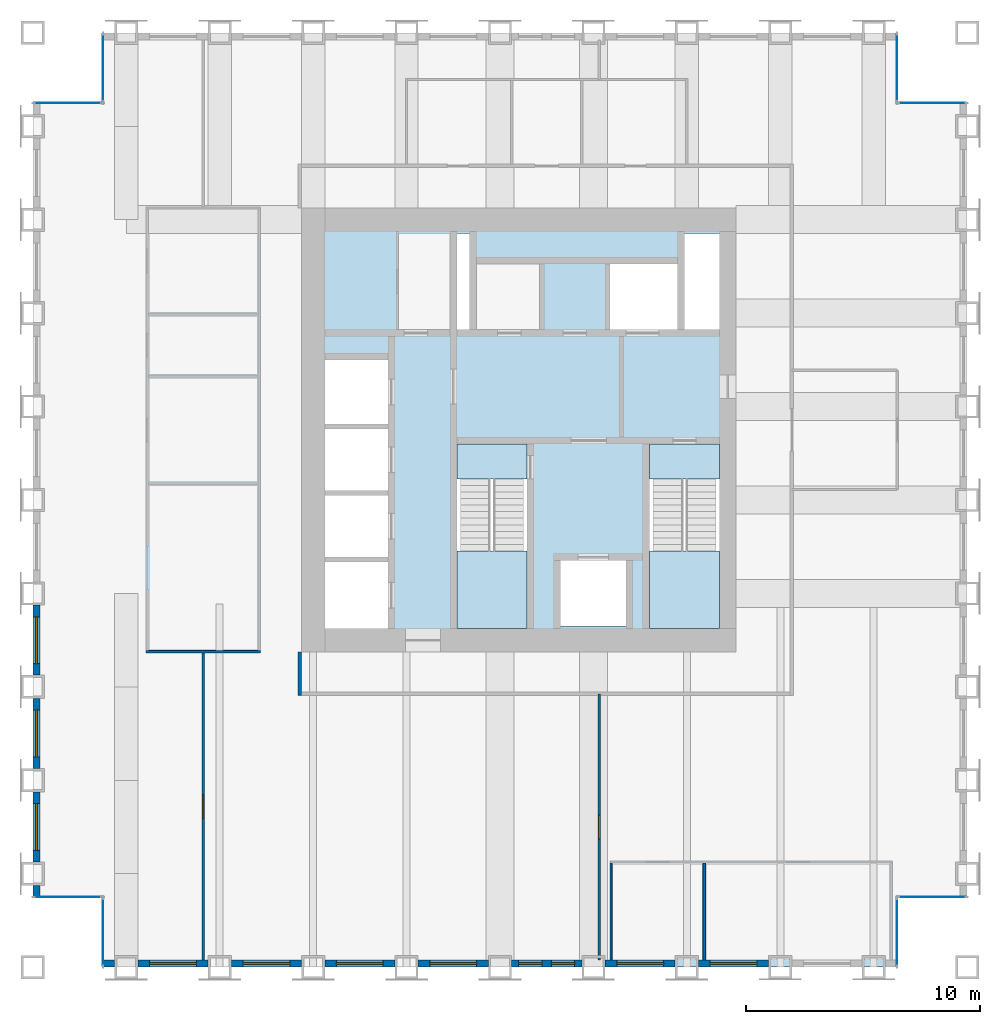
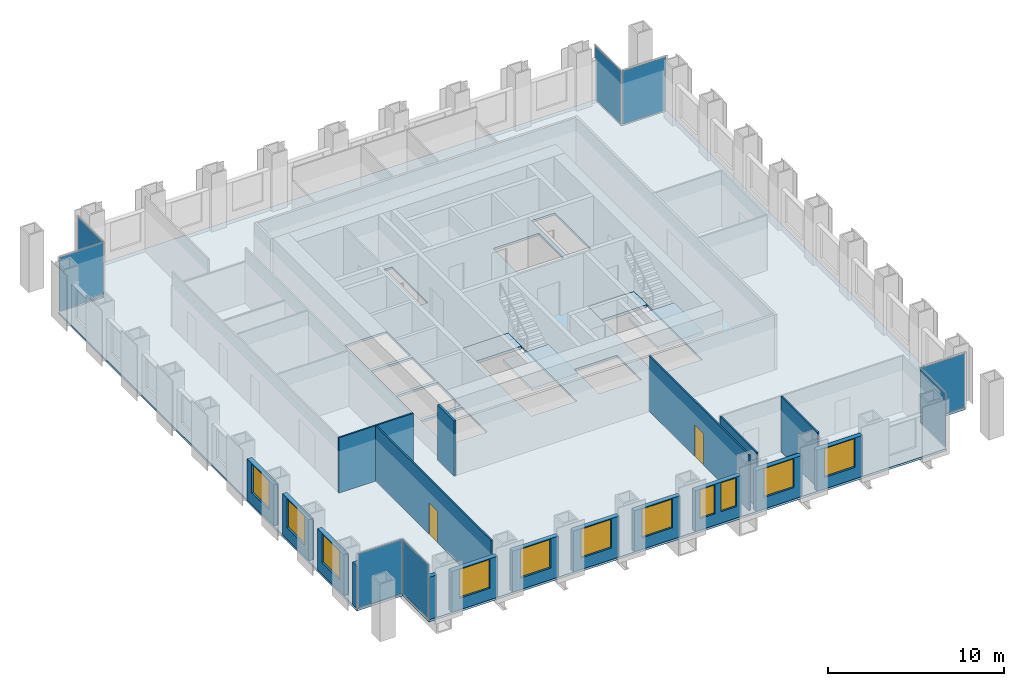
# One storey, part 6 of 10: 18 walls, 11 windows, 8 plates, 5 slabs, 2 doors, 13 openings, 10 elements without a shape of their own.
"""IFC4 building model written with IfcOpenShell, lengths in metres."""

import ifcopenshell
import ifcopenshell.guid

model = None  # the IFC model being written
_history = None  # IfcOwnerHistory: only IFC2X3 demands one
_inside = {}  # id of a spatial element -> (the spatial element, [elements in it])
_under = {}  # id of a project, library or spatial element -> (it, [spatial elements below it])
_declared = {}  # id of a project -> (the project, [libraries it declares])
_typed = {}  # id of a type object -> (the type object, [elements of that type])
_made_of = {}  # id of a material, layer set ... -> (it, [elements and type objects made of it])


def new_model(schema):
    """Start an empty IFC model of exactly this schema.

    Asked for "IFC4X3", IfcOpenShell would pick the latest addendum, in which some entities
    have other attributes; the version numbers below select the first issue.
    IFC2X3 requires an IfcOwnerHistory on every rooted entity: one is made here for all.
    """
    global model, _history
    if schema == "IFC4X3":
        model = ifcopenshell.file(schema_version=(4, 3, 0, 0))
    else:
        model = ifcopenshell.file(schema=schema)
    _inside.clear()
    _under.clear()
    _declared.clear()
    _typed.clear()
    _made_of.clear()
    _history = None
    if model.schema == "IFC2X3":
        org = make("IfcOrganization", Name="unknown")
        user = make(
            "IfcPersonAndOrganization",
            ThePerson=make("IfcPerson", FamilyName="unknown"),
            TheOrganization=org,
        )
        app = make(
            "IfcApplication",
            ApplicationDeveloper=org,
            Version="unknown",
            ApplicationFullName="unknown",
            ApplicationIdentifier="unknown",
        )
        _history = make(
            "IfcOwnerHistory",
            OwningUser=user,
            OwningApplication=app,
            ChangeAction="ADDED",
            CreationDate=0,
        )
    return model


def make(cls, **values):
    """One entity of the class cls with the attributes given. An attribute that is None is left unset."""
    return model.create_entity(
        cls, **{name: value for name, value in values.items() if value is not None}
    )


def rooted(cls, **values):
    """An entity with a GlobalId (a new one), such as an element, a storey or a relation."""
    return make(cls, GlobalId=ifcopenshell.guid.new(), OwnerHistory=_history, **values)


def si_unit(unit_type, name, prefix=None):
    """IfcSIUnit, for example si_unit("LENGTHUNIT", "METRE", prefix="MILLI")."""
    return make("IfcSIUnit", UnitType=unit_type, Prefix=prefix, Name=name)


def assignment(units):
    """IfcUnitAssignment: the units of a project."""
    return None if units is None else make("IfcUnitAssignment", Units=units)


def point(xyz):
    """IfcCartesianPoint."""
    return None if xyz is None else make("IfcCartesianPoint", Coordinates=xyz)


def direction(xyz):
    """IfcDirection."""
    return None if xyz is None else make("IfcDirection", DirectionRatios=xyz)


def frame(location, z_axis=None, x_axis=None):
    """IfcAxis2Placement3D, a coordinate frame: its origin and axes. An axis left out is left unset."""
    return make(
        "IfcAxis2Placement3D",
        Location=point(location),
        Axis=direction(z_axis),
        RefDirection=direction(x_axis),
    )


def frame_2d(location, x_axis=None):
    """IfcAxis2Placement2D, a coordinate frame in the plane: its origin and x axis."""
    return make(
        "IfcAxis2Placement2D", Location=point(location), RefDirection=direction(x_axis)
    )


def origin():
    """The frame at (0, 0, 0) with its axes left unset."""
    return frame((0.0, 0.0, 0.0))


def origin_2d():
    """The frame at (0, 0) in the plane with its x axis left unset."""
    return frame_2d((0.0, 0.0))


def place(relative_to, where):
    """IfcLocalPlacement: puts the frame where relative to a parent placement (None: the world)."""
    return make(
        "IfcLocalPlacement", PlacementRelTo=relative_to, RelativePlacement=where
    )


def context(
    kind, dimensions, precision=None, world=None, true_north=None, identifier=None
):
    """IfcGeometricRepresentationContext, for example the 3D "Model" context."""
    return make(
        "IfcGeometricRepresentationContext",
        ContextIdentifier=identifier,
        ContextType=kind,
        CoordinateSpaceDimension=dimensions,
        Precision=precision,
        WorldCoordinateSystem=world,
        TrueNorth=true_north,
    )


def subcontext(parent, identifier, kind, view, scale=None):
    """IfcGeometricRepresentationSubContext, for example "Body" below "Model"."""
    return make(
        "IfcGeometricRepresentationSubContext",
        ContextIdentifier=identifier,
        ContextType=kind,
        ParentContext=parent,
        TargetScale=scale,
        TargetView=view,
    )


def project(units=None, contexts=None):
    """IfcProject with its units and contexts."""
    return rooted(
        "IfcProject",
        Name="project",
        RepresentationContexts=contexts,
        UnitsInContext=assignment(units),
    )


def spatial(cls, under=None, at=None, **own):
    """A site, building, storey or space (cls), placed at a placement, below another one or the project."""
    s = rooted(cls, ObjectPlacement=at, **own)
    if under is not None:
        _under.setdefault(under.id(), (under, []))[1].append(s)
    return s


def polyline(points):
    """IfcPolyline through the points."""
    return make("IfcPolyline", Points=[point(p) for p in points])


def profile(cls, at=None, kind="AREA", **sizes):
    """A parametric profile (cls). Its sizes go by their IFC names, for example OverallWidth=200.0."""
    return make(cls, ProfileType=kind, Position=at, **sizes)


def rectangle(**sizes):
    """IfcRectangleProfileDef."""
    return profile("IfcRectangleProfileDef", **sizes)


def outline(outer, holes=None, kind="AREA"):
    """IfcArbitraryClosedProfileDef: a profile drawn as a closed curve; with holes, ...WithVoids."""
    if holes is None:
        return make("IfcArbitraryClosedProfileDef", ProfileType=kind, OuterCurve=outer)
    return make(
        "IfcArbitraryProfileDefWithVoids",
        ProfileType=kind,
        OuterCurve=outer,
        InnerCurves=holes,
    )


def extrude(swept, where, along, depth):
    """IfcExtrudedAreaSolid: the profile swept, set in the frame where, extruded along a direction by depth."""
    return make(
        "IfcExtrudedAreaSolid",
        SweptArea=swept,
        Position=where,
        ExtrudedDirection=direction(along),
        Depth=depth,
    )


def shape(context_of_items, identifier, shape_type, items):
    """IfcShapeRepresentation: the items that make up one representation, for example the "Body"."""
    return make(
        "IfcShapeRepresentation",
        ContextOfItems=context_of_items,
        RepresentationIdentifier=identifier,
        RepresentationType=shape_type,
        Items=items,
    )


def material(Name=None, Category=None):
    """IfcMaterial."""
    return make("IfcMaterial", Name=Name, Category=Category)


def layer(
    of_material, thickness, ventilated=None, Name=None, Category=None, Priority=None
):
    """IfcMaterialLayer: one layer of a wall or slab, of a material (None: an air gap)."""
    return make(
        "IfcMaterialLayer",
        Material=of_material,
        LayerThickness=thickness,
        IsVentilated=ventilated,
        Name=Name,
        Category=Category,
        Priority=Priority,
    )


def layer_set(layers, Name=None):
    """IfcMaterialLayerSet."""
    return make("IfcMaterialLayerSet", MaterialLayers=layers, LayerSetName=Name)


def made_of(thing, what):
    """Note that an element or type object is made of a material, layer set ...; save() writes the relation."""
    if what is not None:
        _made_of.setdefault(what.id(), (what, []))[1].append(thing)
    return thing


def type_object(cls, material=None, **own):
    """A type object (cls), such as IfcWallType, which elements share."""
    return made_of(rooted(cls, **own), material)


def element(
    cls,
    number,
    at=None,
    inside=None,
    cuts=None,
    type_object=None,
    material=None,
    context=None,
    identifier="Body",
    shape_type=None,
    held_by="IfcProductDefinitionShape",
    body=None,
    shapes=None,
    **own,
):
    """One element of the class cls, such as IfcWall. Its Tag is "e" and its number.

    at: its placement. inside: the storey or other place that contains it. cuts: it is an
    opening in that element (IfcRelVoidsElement). A single representation is given by context,
    identifier, shape_type and body (its items); several are given by shapes. held_by: the class
    of the entity that holds the representations. save() writes the other relations.
    """
    e = rooted(cls, Tag="e%d" % number, ObjectPlacement=at, **own)
    if body is not None:
        shapes = [shape(context, identifier, shape_type, body)]
    if shapes is not None:
        e.Representation = make(held_by, Representations=shapes)
    if inside is not None:
        _inside.setdefault(inside.id(), (inside, []))[1].append(e)
    if cuts is not None:
        rooted(
            "IfcRelVoidsElement", RelatingBuildingElement=cuts, RelatedOpeningElement=e
        )
    if type_object is not None:
        _typed.setdefault(type_object.id(), (type_object, []))[1].append(e)
    return made_of(e, material)


def fill(opening, filler):
    """IfcRelFillsElement: the door or window that sits in an opening."""
    return rooted(
        "IfcRelFillsElement",
        RelatingOpeningElement=opening,
        RelatedBuildingElement=filler,
    )


def aggregate(whole, parts):
    """IfcRelAggregates: a whole, such as a stair, and the parts it consists of."""
    return rooted("IfcRelAggregates", RelatingObject=whole, RelatedObjects=parts)


def save(model, path):
    """Write the relations noted so far, then the file.

    IfcRelAggregates (storeys below a building ...), IfcRelContainedInSpatialStructure (elements
    in a storey), IfcRelDefinesByType, IfcRelAssociatesMaterial and IfcRelDeclares: one each for
    every whole, place, type object, material and project.
    """
    for whole, parts in _under.values():
        aggregate(whole, parts)
    for where, things in _inside.values():
        rooted(
            "IfcRelContainedInSpatialStructure",
            RelatedElements=things,
            RelatingStructure=where,
        )
    for kind, things in _typed.values():
        rooted("IfcRelDefinesByType", RelatedObjects=things, RelatingType=kind)
    for what, things in _made_of.values():
        rooted("IfcRelAssociatesMaterial", RelatedObjects=things, RelatingMaterial=what)
    for by, libraries in _declared.values():
        rooted("IfcRelDeclares", RelatingContext=by, RelatedDefinitions=libraries)
    model.write(path)


model = new_model("IFC4")

# Units and contexts
model_context = context("Model", 3, precision=1e-05, world=origin(), true_north=direction((0.0, 1.0)))
body_context = subcontext(model_context, "Body", "Model", "MODEL_VIEW")
ifc_project = project(units=[si_unit("LENGTHUNIT", "METRE"), si_unit("AREAUNIT", "SQUARE_METRE"), si_unit("VOLUMEUNIT", "CUBIC_METRE"), si_unit("PLANEANGLEUNIT", "RADIAN"), si_unit("MASSUNIT", "GRAM", prefix="KILO")], contexts=[model_context])

# Site, building, storey
site_placement = place(None, origin())
site = spatial("IfcSite", under=ifc_project, at=site_placement, CompositionType="ELEMENT")
building_placement = place(site_placement, origin())
building = spatial("IfcBuilding", under=site, at=building_placement, Name="Rimbunsela Tower", CompositionType="ELEMENT")
storey_placement = place(building_placement, frame((0.0, 0.0, 274.199951171875)))
storey = spatial("IfcBuildingStorey", under=building, at=storey_placement, Name="L66", CompositionType="ELEMENT", Elevation=274.199951171875)

# Slab
ifc_material_1 = material(Name="Concrete fc' 35 MPa", Category="concrete")
ifc_layer_1 = layer(ifc_material_1, 0.14990234375)
ifc_layer_set_1 = layer_set([ifc_layer_1], Name="Floor slab 150")
slab_type_1 = type_object("IfcSlabType", Name="Floor slab 150", PredefinedType="FLOOR", material=ifc_layer_set_1)
slab_1_placement = place(storey_placement, frame((0.0, 0.0, -0.14990234375)))
element("IfcSlab", 1, at=slab_1_placement, inside=storey, type_object=slab_type_1, Name="Floor slab L66", PredefinedType="FLOOR", context=body_context, shape_type="SweptSolid", body=[
    extrude(outline(polyline([(9.0, 4.0), (43.0, 4.0), (43.0, 7.0), (46.0, 7.0), (46.0, 41.0), (43.0, 41.0), (43.0, 44.0), (9.0, 44.0), (9.0, 41.0), (6.0, 41.0), (6.0, 7.0), (9.0, 7.0), (9.0, 4.0)]), holes=[polyline([(21.199951171875, 21.35009765625), (18.5, 21.35009765625), (18.5, 18.5), (21.199951171875, 18.5), (21.199951171875, 21.35009765625)]), polyline([(21.199951171875, 21.550048828125), (21.199951171875, 24.199951171875), (18.5, 24.199951171875), (18.5, 21.550048828125), (21.199951171875, 21.550048828125)]), polyline([(21.199951171875, 27.050048828125), (18.5, 27.050048828125), (18.5, 24.39990234375), (21.199951171875, 24.39990234375), (21.199951171875, 27.050048828125)]), polyline([(21.199951171875, 30.0), (18.5, 30.0), (18.5, 27.25), (21.199951171875, 27.25), (21.199951171875, 30.0)]), polyline([(27.14990234375, 26.39990234375), (24.14990234375, 26.39990234375), (24.14990234375, 18.60009765625), (27.14990234375, 18.60009765625), (27.14990234375, 26.39990234375)]), polyline([(24.699951171875, 31.300048828125), (24.699951171875, 35.39990234375), (24.14990234375, 35.39990234375), (24.14990234375, 31.300048828125), (24.699951171875, 31.300048828125)]), polyline([(31.39990234375, 21.39990234375), (28.60009765625, 21.39990234375), (28.60009765625, 18.60009765625), (31.39990234375, 18.60009765625), (31.39990234375, 21.39990234375)]), polyline([(33.60009765625, 34.10009765625), (30.60009765625, 34.10009765625), (30.60009765625, 31.300048828125), (33.60009765625, 31.300048828125), (33.60009765625, 34.10009765625)]), polyline([(35.39990234375, 18.60009765625), (35.39990234375, 26.39990234375), (32.39990234375, 26.39990234375), (32.39990234375, 18.60009765625), (35.39990234375, 18.60009765625)]), polyline([(35.39990234375, 31.300048828125), (35.39990234375, 35.39990234375), (33.89990234375, 35.39990234375), (33.89990234375, 31.300048828125), (35.39990234375, 31.300048828125)])]), origin(), (0.0, 0.0, 1.0), 0.14990234375),
])

# Curtain wall, plate
ifc_material_2 = material(Name="Aluminium curtain wall", Category="aluminium")
curtain_wall_type = type_object("IfcCurtainWallType", Name="Corner glazing", PredefinedType="USERDEFINED", material=ifc_material_2)
curtain_wall_1_placement = place(storey_placement, origin())
curtain_wall_1 = element("IfcCurtainWall", 2, at=curtain_wall_1_placement, inside=storey, type_object=curtain_wall_type, Name="Corner glazing L66", ObjectType="CORNER GLAZING", PredefinedType="USERDEFINED")
ifc_material_3 = material(Name="Clear double glazing", Category="glass")
ifc_layer_2 = layer(ifc_material_3, 0.028076171875)
ifc_layer_set_2 = layer_set([ifc_layer_2], Name="Glazed panel clear")
plate_type = type_object("IfcPlateType", Name="Glazed panel clear", PredefinedType="CURTAIN_PANEL", material=ifc_layer_set_2)
plate_1_placement = place(storey_placement, frame((43.0, 5.5, 0.06005859375), z_axis=(0.0, 0.0, 1.0), x_axis=(0.0, 1.0, 0.0)))
plate_1 = element("IfcPlate", 3, at=plate_1_placement, type_object=plate_type, Name="CW5 panel 1.1", PredefinedType="CURTAIN_PANEL", context=body_context, shape_type="SweptSolid", body=[
    extrude(rectangle(XDim=2.8798828125, YDim=0.028076171875, at=origin_2d()), origin(), (0.0, 0.0, 1.0), 3.72998046875),
])
aggregate(curtain_wall_1, [plate_1])

curtain_wall_2_placement = place(storey_placement, origin())
curtain_wall_2 = element("IfcCurtainWall", 4, at=curtain_wall_2_placement, inside=storey, type_object=curtain_wall_type, Name="Corner glazing L66", ObjectType="CORNER GLAZING", PredefinedType="USERDEFINED")
plate_2_placement = place(storey_placement, frame((44.5, 7.0, 0.06005859375), z_axis=(0.0, 0.0, 1.0), x_axis=(1.0, 0.0, 0.0)))
plate_2 = element("IfcPlate", 5, at=plate_2_placement, type_object=plate_type, Name="CW5 panel 1.1", PredefinedType="CURTAIN_PANEL", context=body_context, shape_type="SweptSolid", body=[
    extrude(rectangle(XDim=2.8798828125, YDim=0.028076171875, at=origin_2d()), origin(), (0.0, 0.0, 1.0), 3.72998046875),
])
aggregate(curtain_wall_2, [plate_2])

curtain_wall_3_placement = place(storey_placement, origin())
curtain_wall_3 = element("IfcCurtainWall", 6, at=curtain_wall_3_placement, inside=storey, type_object=curtain_wall_type, Name="Corner glazing L66", ObjectType="CORNER GLAZING", PredefinedType="USERDEFINED")
plate_3_placement = place(storey_placement, frame((44.5, 41.0, 0.06005859375), z_axis=(0.0, 0.0, 1.0), x_axis=(-1.0, 0.0, 0.0)))
plate_3 = element("IfcPlate", 7, at=plate_3_placement, type_object=plate_type, Name="CW5 panel 1.1", PredefinedType="CURTAIN_PANEL", context=body_context, shape_type="SweptSolid", body=[
    extrude(rectangle(XDim=2.8798828125, YDim=0.028076171875, at=origin_2d()), origin(), (0.0, 0.0, 1.0), 3.72998046875),
])
aggregate(curtain_wall_3, [plate_3])

curtain_wall_4_placement = place(storey_placement, origin())
curtain_wall_4 = element("IfcCurtainWall", 8, at=curtain_wall_4_placement, inside=storey, type_object=curtain_wall_type, Name="Corner glazing L66", ObjectType="CORNER GLAZING", PredefinedType="USERDEFINED")
plate_4_placement = place(storey_placement, frame((43.0, 42.5, 0.06005859375), z_axis=(0.0, 0.0, 1.0), x_axis=(0.0, 1.0, 0.0)))
plate_4 = element("IfcPlate", 9, at=plate_4_placement, type_object=plate_type, Name="CW5 panel 1.1", PredefinedType="CURTAIN_PANEL", context=body_context, shape_type="SweptSolid", body=[
    extrude(rectangle(XDim=2.8798828125, YDim=0.028076171875, at=origin_2d()), origin(), (0.0, 0.0, 1.0), 3.72998046875),
])
aggregate(curtain_wall_4, [plate_4])

curtain_wall_5_placement = place(storey_placement, origin())
curtain_wall_5 = element("IfcCurtainWall", 10, at=curtain_wall_5_placement, inside=storey, type_object=curtain_wall_type, Name="Corner glazing L66", ObjectType="CORNER GLAZING", PredefinedType="USERDEFINED")
plate_5_placement = place(storey_placement, frame((9.0, 42.5, 0.06005859375), z_axis=(0.0, 0.0, 1.0), x_axis=(0.0, -1.0, 0.0)))
plate_5 = element("IfcPlate", 11, at=plate_5_placement, type_object=plate_type, Name="CW5 panel 1.1", PredefinedType="CURTAIN_PANEL", context=body_context, shape_type="SweptSolid", body=[
    extrude(rectangle(XDim=2.8798828125, YDim=0.028076171875, at=origin_2d()), origin(), (0.0, 0.0, 1.0), 3.72998046875),
])
aggregate(curtain_wall_5, [plate_5])

curtain_wall_6_placement = place(storey_placement, origin())
curtain_wall_6 = element("IfcCurtainWall", 12, at=curtain_wall_6_placement, inside=storey, type_object=curtain_wall_type, Name="Corner glazing L66", ObjectType="CORNER GLAZING", PredefinedType="USERDEFINED")
plate_6_placement = place(storey_placement, frame((7.5, 41.0, 0.06005859375), z_axis=(0.0, 0.0, 1.0), x_axis=(-1.0, 0.0, 0.0)))
plate_6 = element("IfcPlate", 13, at=plate_6_placement, type_object=plate_type, Name="CW5 panel 1.1", PredefinedType="CURTAIN_PANEL", context=body_context, shape_type="SweptSolid", body=[
    extrude(rectangle(XDim=2.8798828125, YDim=0.028076171875, at=origin_2d()), origin(), (0.0, 0.0, 1.0), 3.72998046875),
])
aggregate(curtain_wall_6, [plate_6])

curtain_wall_7_placement = place(storey_placement, origin())
curtain_wall_7 = element("IfcCurtainWall", 14, at=curtain_wall_7_placement, inside=storey, type_object=curtain_wall_type, Name="Corner glazing L66", ObjectType="CORNER GLAZING", PredefinedType="USERDEFINED")
plate_7_placement = place(storey_placement, frame((7.5, 7.0, 0.06005859375), z_axis=(0.0, 0.0, 1.0), x_axis=(1.0, 0.0, 0.0)))
plate_7 = element("IfcPlate", 15, at=plate_7_placement, type_object=plate_type, Name="CW5 panel 1.1", PredefinedType="CURTAIN_PANEL", context=body_context, shape_type="SweptSolid", body=[
    extrude(rectangle(XDim=2.8798828125, YDim=0.028076171875, at=origin_2d()), origin(), (0.0, 0.0, 1.0), 3.72998046875),
])
aggregate(curtain_wall_7, [plate_7])

curtain_wall_8_placement = place(storey_placement, origin())
curtain_wall_8 = element("IfcCurtainWall", 16, at=curtain_wall_8_placement, inside=storey, type_object=curtain_wall_type, Name="Corner glazing L66", ObjectType="CORNER GLAZING", PredefinedType="USERDEFINED")
plate_8_placement = place(storey_placement, frame((9.0, 5.5, 0.06005859375), z_axis=(0.0, 0.0, 1.0), x_axis=(0.0, -1.0, 0.0)))
plate_8 = element("IfcPlate", 17, at=plate_8_placement, type_object=plate_type, Name="CW5 panel 1.1", PredefinedType="CURTAIN_PANEL", context=body_context, shape_type="SweptSolid", body=[
    extrude(rectangle(XDim=2.8798828125, YDim=0.028076171875, at=origin_2d()), origin(), (0.0, 0.0, 1.0), 3.72998046875),
])
aggregate(curtain_wall_8, [plate_8])

# Stair, slabs
ifc_material_4 = material(Name="Concrete fc' 35 MPa", Category="concrete")
stair_type = type_object("IfcStairType", Name="Exit stair 24 risers", PredefinedType="HALF_TURN_STAIR", material=ifc_material_4)
stair_1_placement = place(storey_placement, origin())
stair_1 = element("IfcStair", 18, at=stair_1_placement, inside=storey, type_object=stair_type, Name="Exit stair A L66", PredefinedType="HALF_TURN_STAIR")
ifc_material_5 = material(Name="Concrete fc' 35 MPa", Category="concrete")
ifc_layer_3 = layer(ifc_material_5, 0.199951171875)
ifc_layer_set_3 = layer_set([ifc_layer_3], Name="Stair landing 200")
slab_type_2 = type_object("IfcSlabType", Name="Stair landing 200", PredefinedType="LANDING", material=ifc_layer_set_3)
slab_2_placement = place(storey_placement, frame((0.0, 0.0, -0.199951171875)))
slab_2 = element("IfcSlab", 19, at=slab_2_placement, type_object=slab_type_2, Name="ST-A landing 1", PredefinedType="LANDING", context=body_context, shape_type="SweptSolid", body=[
    extrude(outline(polyline([(24.14990234375, 24.89990234375), (27.14990234375, 24.89990234375), (27.14990234375, 26.39990234375), (24.14990234375, 26.39990234375), (24.14990234375, 24.89990234375)])), origin(), (0.0, 0.0, 1.0), 0.199951171875),
])
slab_3_placement = place(storey_placement, frame((0.0, 0.0, 1.800048828125)))
slab_3 = element("IfcSlab", 20, at=slab_3_placement, type_object=slab_type_2, Name="ST-A landing 2", PredefinedType="LANDING", context=body_context, shape_type="SweptSolid", body=[
    extrude(outline(polyline([(24.14990234375, 18.5), (27.14990234375, 18.5), (27.14990234375, 21.820068359375), (24.14990234375, 21.820068359375), (24.14990234375, 18.5)])), origin(), (0.0, 0.0, 1.0), 0.199951171875),
])
aggregate(stair_1, [slab_2, slab_3])

stair_2_placement = place(storey_placement, origin())
stair_2 = element("IfcStair", 21, at=stair_2_placement, inside=storey, type_object=stair_type, Name="Exit stair B L66", PredefinedType="HALF_TURN_STAIR")
slab_4_placement = place(storey_placement, frame((0.0, 0.0, -0.199951171875)))
slab_4 = element("IfcSlab", 22, at=slab_4_placement, type_object=slab_type_2, Name="ST-B landing 1", PredefinedType="LANDING", context=body_context, shape_type="SweptSolid", body=[
    extrude(outline(polyline([(32.39990234375, 24.89990234375), (35.39990234375, 24.89990234375), (35.39990234375, 26.39990234375), (32.39990234375, 26.39990234375), (32.39990234375, 24.89990234375)])), origin(), (0.0, 0.0, 1.0), 0.199951171875),
])
slab_5_placement = place(storey_placement, frame((0.0, 0.0, 1.800048828125)))
slab_5 = element("IfcSlab", 23, at=slab_5_placement, type_object=slab_type_2, Name="ST-B landing 2", PredefinedType="LANDING", context=body_context, shape_type="SweptSolid", body=[
    extrude(outline(polyline([(32.39990234375, 18.5), (35.39990234375, 18.5), (35.39990234375, 21.820068359375), (32.39990234375, 21.820068359375), (32.39990234375, 18.5)])), origin(), (0.0, 0.0, 1.0), 0.199951171875),
])
aggregate(stair_2, [slab_4, slab_5])

# Walls
ifc_material_6 = material(Name="Gypsum board on steel studs", Category="steel")
ifc_layer_4 = layer(ifc_material_6, 0.10009765625)
ifc_layer_set_4 = layer_set([ifc_layer_4], Name="Office partition 100")
wall_type_1 = type_object("IfcWallType", Name="Office partition 100", PredefinedType="PARTITIONING", material=ifc_layer_set_4)
wall_1_placement = place(storey_placement, frame((10.85009765625, 17.5, 0.0), z_axis=(0.0, 0.0, 1.0), x_axis=(1.0, 0.0, 0.0)))
element("IfcWall", 24, at=wall_1_placement, inside=storey, type_object=wall_type_1, Name="Office partition", PredefinedType="PARTITIONING", context=body_context, shape_type="SweptSolid", body=[
    extrude(rectangle(XDim=4.89990234375, YDim=0.10009765625, at=frame_2d((2.449951171875, 0.0))), origin(), (0.0, 0.0, 1.0), 3.85009765625),
])
for number, where, z_axis, x_axis, name in (
    (25, (30.75, 4.300048828125, 0.0), (0.0, 0.0, 1.0), (0.0, 1.0, 0.0), "Office partition"),
    (26, (34.75, 4.300048828125, 0.0), (0.0, 0.0, 1.0), (0.0, 1.0, 0.0), "Office partition"),
):
    element("IfcWall", number, at=place(storey_placement, frame(where, z_axis=z_axis, x_axis=x_axis)), inside=storey, type_object=wall_type_1, Name=name, PredefinedType="PARTITIONING", context=body_context, shape_type="SweptSolid", body=[
        extrude(rectangle(XDim=4.14990234375, YDim=0.10009765625, at=frame_2d((2.074951171875, 0.0))), origin(), (0.0, 0.0, 1.0), 3.85009765625),
    ])

# Wall, opening, door
wall_2_placement = place(storey_placement, frame((30.25, 15.699951171875, 0.0), z_axis=(0.0, 0.0, 1.0), x_axis=(0.0, -1.0, 0.0)))
wall_2 = element("IfcWall", 27, at=wall_2_placement, inside=storey, type_object=wall_type_1, Name="Office partition", PredefinedType="PARTITIONING", context=body_context, shape_type="SweptSolid", body=[
    extrude(rectangle(XDim=11.39990234375, YDim=0.10009765625, at=frame_2d((5.699951171875, 0.0))), origin(), (0.0, 0.0, 1.0), 3.85009765625),
])
opening_1_placement = place(wall_2_placement, frame((5.199951171875, 0.0, 0.0)))
opening_1 = element("IfcOpeningElement", 28, at=opening_1_placement, cuts=wall_2, Name="Opening D17", PredefinedType="OPENING", context=body_context, shape_type="SweptSolid", body=[
    extrude(rectangle(XDim=1.0, YDim=2.199951171875, at=frame_2d((0.5, 1.10009765625))), frame((0.0, 0.06005859375, 0.0), z_axis=(0.0, -1.0, 0.0), x_axis=(1.0, 0.0, 0.0)), (0.0, 0.0, 1.0), 0.1201171875),
])
ifc_material_7 = material(Name="Glazed aluminium door", Category="aluminium")
door_type = type_object("IfcDoorType", Name="Meeting room door 1000 glazed", OperationType="SINGLE_SWING_RIGHT", PredefinedType="DOOR", material=ifc_material_7)
door_1_placement = place(opening_1_placement, origin())
door_1 = element("IfcDoor", 29, at=door_1_placement, inside=storey, type_object=door_type, Name="Open office screen door", OperationType="SINGLE_SWING_RIGHT", OverallHeight=2.199951171875, OverallWidth=1.0, PredefinedType="DOOR", context=body_context, shape_type="SweptSolid", body=[
    extrude(rectangle(XDim=1.0, YDim=2.199951171875, at=frame_2d((0.5, 1.10009765625))), frame((0.0, 0.02490234375, 0.0), z_axis=(0.0, -1.0, 0.0), x_axis=(1.0, 0.0, 0.0)), (0.0, 0.0, 1.0), 0.050048828125),
])
fill(opening_1, door_1)

wall_3_placement = place(storey_placement, frame((13.300048828125, 4.300048828125, 0.0), z_axis=(0.0, 0.0, 1.0), x_axis=(0.0, 1.0, 0.0)))
wall_3 = element("IfcWall", 30, at=wall_3_placement, inside=storey, type_object=wall_type_1, Name="Office partition", PredefinedType="PARTITIONING", context=body_context, shape_type="SweptSolid", body=[
    extrude(rectangle(XDim=13.14990234375, YDim=0.10009765625, at=frame_2d((6.574951171875, 0.0))), origin(), (0.0, 0.0, 1.0), 3.85009765625),
])
opening_2_placement = place(wall_3_placement, frame((6.074951171875, 0.0, 0.0)))
opening_2 = element("IfcOpeningElement", 31, at=opening_2_placement, cuts=wall_3, Name="Opening D17", PredefinedType="OPENING", context=body_context, shape_type="SweptSolid", body=[
    extrude(rectangle(XDim=1.0, YDim=2.199951171875, at=frame_2d((0.5, 1.10009765625))), frame((0.0, 0.06005859375, 0.0), z_axis=(0.0, -1.0, 0.0), x_axis=(1.0, 0.0, 0.0)), (0.0, 0.0, 1.0), 0.1201171875),
])
door_2_placement = place(opening_2_placement, origin())
door_2 = element("IfcDoor", 32, at=door_2_placement, inside=storey, type_object=door_type, Name="Open office screen door", OperationType="SINGLE_SWING_RIGHT", OverallHeight=2.199951171875, OverallWidth=1.0, PredefinedType="DOOR", context=body_context, shape_type="SweptSolid", body=[
    extrude(rectangle(XDim=1.0, YDim=2.199951171875, at=frame_2d((0.5, 1.10009765625))), frame((0.0, 0.02490234375, 0.0), z_axis=(0.0, -1.0, 0.0), x_axis=(1.0, 0.0, 0.0)), (0.0, 0.0, 1.0), 0.050048828125),
])
fill(opening_2, door_2)

# Wall
ifc_material_8 = material(Name="Precast concrete fc' 35 MPa", Category="concrete")
ifc_layer_5 = layer(ifc_material_8, 0.300048828125)
ifc_layer_set_5 = layer_set([ifc_layer_5], Name="Precast concrete fc' 35 MPa")
wall_type_2 = type_object("IfcWallType", Name="Precast facade panel 300", PredefinedType="ELEMENTEDWALL", material=ifc_layer_set_5)
wall_4_placement = place(storey_placement, frame((9.030029296875, 4.14990234375, 0.0), z_axis=(0.0, 0.0, 1.0), x_axis=(1.0, 0.0, 0.0)))
element("IfcWall", 33, at=wall_4_placement, inside=storey, type_object=wall_type_2, Name="Facade panel S L66", PredefinedType="ELEMENTEDWALL", context=body_context, shape_type="SweptSolid", body=[
    extrude(rectangle(XDim=0.469970703125, YDim=0.300048828125, at=frame_2d((0.23486328125, 0.0))), origin(), (0.0, 0.0, 1.0), 2.949951171875),
])

# Wall, opening, window
wall_5_placement = place(storey_placement, frame((10.5, 4.14990234375, 0.0), z_axis=(0.0, 0.0, 1.0), x_axis=(1.0, 0.0, 0.0)))
wall_5 = element("IfcWall", 34, at=wall_5_placement, inside=storey, type_object=wall_type_2, Name="Facade panel S L66", PredefinedType="ELEMENTEDWALL", context=body_context, shape_type="SweptSolid", body=[
    extrude(rectangle(XDim=3.0, YDim=0.300048828125, at=frame_2d((1.5, 0.0))), origin(), (0.0, 0.0, 1.0), 2.85009765625),
])
opening_3_placement = place(wall_5_placement, frame((0.5, 0.0, 0.800048828125)))
opening_3 = element("IfcOpeningElement", 35, at=opening_3_placement, cuts=wall_5, Name="Opening W1", PredefinedType="OPENING", context=body_context, shape_type="SweptSolid", body=[
    extrude(rectangle(XDim=2.0, YDim=2.0, at=frame_2d((1.0, 1.0))), frame((0.0, 0.159912109375, 0.0), z_axis=(0.0, -1.0, 0.0), x_axis=(1.0, 0.0, 0.0)), (0.0, 0.0, 1.0), 0.320068359375),
])
ifc_material_9 = material(Name="Clear glass in aluminium frame", Category="aluminium")
window_type_1 = type_object("IfcWindowType", Name="Window W1 2000x2000", PartitioningType="DOUBLE_PANEL_VERTICAL", PredefinedType="WINDOW", material=ifc_material_9)
window_1_placement = place(opening_3_placement, origin())
window_1 = element("IfcWindow", 36, at=window_1_placement, inside=storey, type_object=window_type_1, Name="Window L66", OverallHeight=2.0, OverallWidth=2.0, PartitioningType="SINGLE_PANEL", PredefinedType="WINDOW", context=body_context, shape_type="SweptSolid", body=[
    extrude(rectangle(XDim=2.0, YDim=2.0, at=frame_2d((1.0, 1.0))), frame((0.0, 0.030029296875, 0.0), z_axis=(0.0, -1.0, 0.0), x_axis=(1.0, 0.0, 0.0)), (0.0, 0.0, 1.0), 0.06005859375),
])
fill(opening_3, window_1)

wall_6_placement = place(storey_placement, frame((14.5, 4.14990234375, 0.0), z_axis=(0.0, 0.0, 1.0), x_axis=(1.0, 0.0, 0.0)))
wall_6 = element("IfcWall", 37, at=wall_6_placement, inside=storey, type_object=wall_type_2, Name="Facade panel S L66", PredefinedType="ELEMENTEDWALL", context=body_context, shape_type="SweptSolid", body=[
    extrude(rectangle(XDim=3.0, YDim=0.300048828125, at=frame_2d((1.5, 0.0))), origin(), (0.0, 0.0, 1.0), 2.85009765625),
])
opening_4_placement = place(wall_6_placement, frame((0.5, 0.0, 0.800048828125)))
opening_4 = element("IfcOpeningElement", 38, at=opening_4_placement, cuts=wall_6, Name="Opening W1", PredefinedType="OPENING", context=body_context, shape_type="SweptSolid", body=[
    extrude(rectangle(XDim=2.0, YDim=2.0, at=frame_2d((1.0, 1.0))), frame((0.0, 0.159912109375, 0.0), z_axis=(0.0, -1.0, 0.0), x_axis=(1.0, 0.0, 0.0)), (0.0, 0.0, 1.0), 0.320068359375),
])
window_2_placement = place(opening_4_placement, origin())
window_2 = element("IfcWindow", 39, at=window_2_placement, inside=storey, type_object=window_type_1, Name="Window L66", OverallHeight=2.0, OverallWidth=2.0, PartitioningType="SINGLE_PANEL", PredefinedType="WINDOW", context=body_context, shape_type="SweptSolid", body=[
    extrude(rectangle(XDim=2.0, YDim=2.0, at=frame_2d((1.0, 1.0))), frame((0.0, 0.030029296875, 0.0), z_axis=(0.0, -1.0, 0.0), x_axis=(1.0, 0.0, 0.0)), (0.0, 0.0, 1.0), 0.06005859375),
])
fill(opening_4, window_2)

wall_7_placement = place(storey_placement, frame((18.5, 4.14990234375, 0.0), z_axis=(0.0, 0.0, 1.0), x_axis=(1.0, 0.0, 0.0)))
wall_7 = element("IfcWall", 40, at=wall_7_placement, inside=storey, type_object=wall_type_2, Name="Facade panel S L66", PredefinedType="ELEMENTEDWALL", context=body_context, shape_type="SweptSolid", body=[
    extrude(rectangle(XDim=3.0, YDim=0.300048828125, at=frame_2d((1.5, 0.0))), origin(), (0.0, 0.0, 1.0), 2.85009765625),
])
opening_5_placement = place(wall_7_placement, frame((0.5, 0.0, 0.800048828125)))
opening_5 = element("IfcOpeningElement", 41, at=opening_5_placement, cuts=wall_7, Name="Opening W1", PredefinedType="OPENING", context=body_context, shape_type="SweptSolid", body=[
    extrude(rectangle(XDim=2.0, YDim=2.0, at=frame_2d((1.0, 1.0))), frame((0.0, 0.159912109375, 0.0), z_axis=(0.0, -1.0, 0.0), x_axis=(1.0, 0.0, 0.0)), (0.0, 0.0, 1.0), 0.320068359375),
])
window_3_placement = place(opening_5_placement, origin())
window_3 = element("IfcWindow", 42, at=window_3_placement, inside=storey, type_object=window_type_1, Name="Window L66", OverallHeight=2.0, OverallWidth=2.0, PartitioningType="SINGLE_PANEL", PredefinedType="WINDOW", context=body_context, shape_type="SweptSolid", body=[
    extrude(rectangle(XDim=2.0, YDim=2.0, at=frame_2d((1.0, 1.0))), frame((0.0, 0.030029296875, 0.0), z_axis=(0.0, -1.0, 0.0), x_axis=(1.0, 0.0, 0.0)), (0.0, 0.0, 1.0), 0.06005859375),
])
fill(opening_5, window_3)

wall_8_placement = place(storey_placement, frame((22.5, 4.14990234375, 0.0), z_axis=(0.0, 0.0, 1.0), x_axis=(1.0, 0.0, 0.0)))
wall_8 = element("IfcWall", 43, at=wall_8_placement, inside=storey, type_object=wall_type_2, Name="Facade panel S L66", PredefinedType="ELEMENTEDWALL", context=body_context, shape_type="SweptSolid", body=[
    extrude(rectangle(XDim=3.0, YDim=0.300048828125, at=frame_2d((1.5, 0.0))), origin(), (0.0, 0.0, 1.0), 2.85009765625),
])
opening_6_placement = place(wall_8_placement, frame((0.5, 0.0, 0.800048828125)))
opening_6 = element("IfcOpeningElement", 44, at=opening_6_placement, cuts=wall_8, Name="Opening W1", PredefinedType="OPENING", context=body_context, shape_type="SweptSolid", body=[
    extrude(rectangle(XDim=2.0, YDim=2.0, at=frame_2d((1.0, 1.0))), frame((0.0, 0.159912109375, 0.0), z_axis=(0.0, -1.0, 0.0), x_axis=(1.0, 0.0, 0.0)), (0.0, 0.0, 1.0), 0.320068359375),
])
window_4_placement = place(opening_6_placement, origin())
window_4 = element("IfcWindow", 45, at=window_4_placement, inside=storey, type_object=window_type_1, Name="Window L66", OverallHeight=2.0, OverallWidth=2.0, PartitioningType="SINGLE_PANEL", PredefinedType="WINDOW", context=body_context, shape_type="SweptSolid", body=[
    extrude(rectangle(XDim=2.0, YDim=2.0, at=frame_2d((1.0, 1.0))), frame((0.0, 0.030029296875, 0.0), z_axis=(0.0, -1.0, 0.0), x_axis=(1.0, 0.0, 0.0)), (0.0, 0.0, 1.0), 0.06005859375),
])
fill(opening_6, window_4)

# Wall, openings, windows
wall_9_placement = place(storey_placement, frame((26.5, 4.14990234375, 0.0), z_axis=(0.0, 0.0, 1.0), x_axis=(1.0, 0.0, 0.0)))
wall_9 = element("IfcWall", 46, at=wall_9_placement, inside=storey, type_object=wall_type_2, Name="Facade panel S L66", PredefinedType="ELEMENTEDWALL", context=body_context, shape_type="SweptSolid", body=[
    extrude(rectangle(XDim=3.0, YDim=0.300048828125, at=frame_2d((1.5, 0.0))), origin(), (0.0, 0.0, 1.0), 2.85009765625),
])
opening_7_placement = place(wall_9_placement, frame((0.300048828125, 0.0, 0.800048828125)))
opening_7 = element("IfcOpeningElement", 47, at=opening_7_placement, cuts=wall_9, Name="Opening W5", PredefinedType="OPENING", context=body_context, shape_type="SweptSolid", body=[
    extrude(rectangle(XDim=1.0, YDim=2.0, at=frame_2d((0.5, 1.0))), frame((0.0, 0.159912109375, 0.0), z_axis=(0.0, -1.0, 0.0), x_axis=(1.0, 0.0, 0.0)), (0.0, 0.0, 1.0), 0.320068359375),
])
opening_8_placement = place(wall_9_placement, frame((1.699951171875, 0.0, 0.800048828125)))
opening_8 = element("IfcOpeningElement", 48, at=opening_8_placement, cuts=wall_9, Name="Opening W5", PredefinedType="OPENING", context=body_context, shape_type="SweptSolid", body=[
    extrude(rectangle(XDim=1.0, YDim=2.0, at=frame_2d((0.5, 1.0))), frame((0.0, 0.159912109375, 0.0), z_axis=(0.0, -1.0, 0.0), x_axis=(1.0, 0.0, 0.0)), (0.0, 0.0, 1.0), 0.320068359375),
])
ifc_material_10 = material(Name="Clear glass in aluminium frame", Category="aluminium")
window_type_2 = type_object("IfcWindowType", Name="Window W5 1000x2000", PartitioningType="SINGLE_PANEL", PredefinedType="WINDOW", material=ifc_material_10)
window_5_placement = place(opening_7_placement, origin())
window_5 = element("IfcWindow", 49, at=window_5_placement, inside=storey, type_object=window_type_2, Name="Window L66", OverallHeight=2.0, OverallWidth=1.0, PartitioningType="SINGLE_PANEL", PredefinedType="WINDOW", context=body_context, shape_type="SweptSolid", body=[
    extrude(rectangle(XDim=1.0, YDim=2.0, at=frame_2d((0.5, 1.0))), frame((0.0, 0.030029296875, 0.0), z_axis=(0.0, -1.0, 0.0), x_axis=(1.0, 0.0, 0.0)), (0.0, 0.0, 1.0), 0.06005859375),
])
fill(opening_7, window_5)
window_6_placement = place(opening_8_placement, origin())
window_6 = element("IfcWindow", 50, at=window_6_placement, inside=storey, type_object=window_type_2, Name="Window L66", OverallHeight=2.0, OverallWidth=1.0, PartitioningType="SINGLE_PANEL", PredefinedType="WINDOW", context=body_context, shape_type="SweptSolid", body=[
    extrude(rectangle(XDim=1.0, YDim=2.0, at=frame_2d((0.5, 1.0))), frame((0.0, 0.030029296875, 0.0), z_axis=(0.0, -1.0, 0.0), x_axis=(1.0, 0.0, 0.0)), (0.0, 0.0, 1.0), 0.06005859375),
])
fill(opening_8, window_6)

# Wall, opening, window
wall_10_placement = place(storey_placement, frame((30.5, 4.14990234375, 0.0), z_axis=(0.0, 0.0, 1.0), x_axis=(1.0, 0.0, 0.0)))
wall_10 = element("IfcWall", 51, at=wall_10_placement, inside=storey, type_object=wall_type_2, Name="Facade panel S L66", PredefinedType="ELEMENTEDWALL", context=body_context, shape_type="SweptSolid", body=[
    extrude(rectangle(XDim=3.0, YDim=0.300048828125, at=frame_2d((1.5, 0.0))), origin(), (0.0, 0.0, 1.0), 2.85009765625),
])
opening_9_placement = place(wall_10_placement, frame((0.5, 0.0, 0.800048828125)))
opening_9 = element("IfcOpeningElement", 52, at=opening_9_placement, cuts=wall_10, Name="Opening W1", PredefinedType="OPENING", context=body_context, shape_type="SweptSolid", body=[
    extrude(rectangle(XDim=2.0, YDim=2.0, at=frame_2d((1.0, 1.0))), frame((0.0, 0.159912109375, 0.0), z_axis=(0.0, -1.0, 0.0), x_axis=(1.0, 0.0, 0.0)), (0.0, 0.0, 1.0), 0.320068359375),
])
window_7_placement = place(opening_9_placement, origin())
window_7 = element("IfcWindow", 53, at=window_7_placement, inside=storey, type_object=window_type_1, Name="Window L66", OverallHeight=2.0, OverallWidth=2.0, PartitioningType="SINGLE_PANEL", PredefinedType="WINDOW", context=body_context, shape_type="SweptSolid", body=[
    extrude(rectangle(XDim=2.0, YDim=2.0, at=frame_2d((1.0, 1.0))), frame((0.0, 0.030029296875, 0.0), z_axis=(0.0, -1.0, 0.0), x_axis=(1.0, 0.0, 0.0)), (0.0, 0.0, 1.0), 0.06005859375),
])
fill(opening_9, window_7)

wall_11_placement = place(storey_placement, frame((34.5, 4.14990234375, 0.0), z_axis=(0.0, 0.0, 1.0), x_axis=(1.0, 0.0, 0.0)))
wall_11 = element("IfcWall", 54, at=wall_11_placement, inside=storey, type_object=wall_type_2, Name="Facade panel S L66", PredefinedType="ELEMENTEDWALL", context=body_context, shape_type="SweptSolid", body=[
    extrude(rectangle(XDim=3.0, YDim=0.300048828125, at=frame_2d((1.5, 0.0))), origin(), (0.0, 0.0, 1.0), 2.85009765625),
])
opening_10_placement = place(wall_11_placement, frame((0.5, 0.0, 0.800048828125)))
opening_10 = element("IfcOpeningElement", 55, at=opening_10_placement, cuts=wall_11, Name="Opening W1", PredefinedType="OPENING", context=body_context, shape_type="SweptSolid", body=[
    extrude(rectangle(XDim=2.0, YDim=2.0, at=frame_2d((1.0, 1.0))), frame((0.0, 0.159912109375, 0.0), z_axis=(0.0, -1.0, 0.0), x_axis=(1.0, 0.0, 0.0)), (0.0, 0.0, 1.0), 0.320068359375),
])
window_8_placement = place(opening_10_placement, origin())
window_8 = element("IfcWindow", 56, at=window_8_placement, inside=storey, type_object=window_type_1, Name="Window L66", OverallHeight=2.0, OverallWidth=2.0, PartitioningType="SINGLE_PANEL", PredefinedType="WINDOW", context=body_context, shape_type="SweptSolid", body=[
    extrude(rectangle(XDim=2.0, YDim=2.0, at=frame_2d((1.0, 1.0))), frame((0.0, 0.030029296875, 0.0), z_axis=(0.0, -1.0, 0.0), x_axis=(1.0, 0.0, 0.0)), (0.0, 0.0, 1.0), 0.06005859375),
])
fill(opening_10, window_8)

# Wall
wall_12_placement = place(storey_placement, frame((6.14990234375, 7.5, 0.0), z_axis=(0.0, 0.0, 1.0), x_axis=(0.0, -1.0, 0.0)))
element("IfcWall", 57, at=wall_12_placement, inside=storey, type_object=wall_type_2, Name="Facade panel W L66", PredefinedType="ELEMENTEDWALL", context=body_context, shape_type="SweptSolid", body=[
    extrude(rectangle(XDim=0.469970703125, YDim=0.300048828125, at=frame_2d((0.23486328125, 0.0))), origin(), (0.0, 0.0, 1.0), 2.949951171875),
])

# Wall, opening, window
wall_13_placement = place(storey_placement, frame((6.14990234375, 11.5, 0.0), z_axis=(0.0, 0.0, 1.0), x_axis=(0.0, -1.0, 0.0)))
wall_13 = element("IfcWall", 58, at=wall_13_placement, inside=storey, type_object=wall_type_2, Name="Facade panel W L66", PredefinedType="ELEMENTEDWALL", context=body_context, shape_type="SweptSolid", body=[
    extrude(rectangle(XDim=3.0, YDim=0.300048828125, at=frame_2d((1.5, 0.0))), origin(), (0.0, 0.0, 1.0), 2.85009765625),
])
opening_11_placement = place(wall_13_placement, frame((0.5, 0.0, 0.800048828125)))
opening_11 = element("IfcOpeningElement", 59, at=opening_11_placement, cuts=wall_13, Name="Opening W1", PredefinedType="OPENING", context=body_context, shape_type="SweptSolid", body=[
    extrude(rectangle(XDim=2.0, YDim=2.0, at=frame_2d((1.0, 1.0))), frame((0.0, 0.159912109375, 0.0), z_axis=(0.0, -1.0, 0.0), x_axis=(1.0, 0.0, 0.0)), (0.0, 0.0, 1.0), 0.320068359375),
])
window_9_placement = place(opening_11_placement, origin())
window_9 = element("IfcWindow", 60, at=window_9_placement, inside=storey, type_object=window_type_1, Name="Window L66", OverallHeight=2.0, OverallWidth=2.0, PartitioningType="SINGLE_PANEL", PredefinedType="WINDOW", context=body_context, shape_type="SweptSolid", body=[
    extrude(rectangle(XDim=2.0, YDim=2.0, at=frame_2d((1.0, 1.0))), frame((0.0, 0.030029296875, 0.0), z_axis=(0.0, -1.0, 0.0), x_axis=(1.0, 0.0, 0.0)), (0.0, 0.0, 1.0), 0.06005859375),
])
fill(opening_11, window_9)

wall_14_placement = place(storey_placement, frame((6.14990234375, 15.5, 0.0), z_axis=(0.0, 0.0, 1.0), x_axis=(0.0, -1.0, 0.0)))
wall_14 = element("IfcWall", 61, at=wall_14_placement, inside=storey, type_object=wall_type_2, Name="Facade panel W L66", PredefinedType="ELEMENTEDWALL", context=body_context, shape_type="SweptSolid", body=[
    extrude(rectangle(XDim=3.0, YDim=0.300048828125, at=frame_2d((1.5, 0.0))), origin(), (0.0, 0.0, 1.0), 2.85009765625),
])
opening_12_placement = place(wall_14_placement, frame((0.5, 0.0, 0.800048828125)))
opening_12 = element("IfcOpeningElement", 62, at=opening_12_placement, cuts=wall_14, Name="Opening W1", PredefinedType="OPENING", context=body_context, shape_type="SweptSolid", body=[
    extrude(rectangle(XDim=2.0, YDim=2.0, at=frame_2d((1.0, 1.0))), frame((0.0, 0.159912109375, 0.0), z_axis=(0.0, -1.0, 0.0), x_axis=(1.0, 0.0, 0.0)), (0.0, 0.0, 1.0), 0.320068359375),
])
window_10_placement = place(opening_12_placement, origin())
window_10 = element("IfcWindow", 63, at=window_10_placement, inside=storey, type_object=window_type_1, Name="Window L66", OverallHeight=2.0, OverallWidth=2.0, PartitioningType="SINGLE_PANEL", PredefinedType="WINDOW", context=body_context, shape_type="SweptSolid", body=[
    extrude(rectangle(XDim=2.0, YDim=2.0, at=frame_2d((1.0, 1.0))), frame((0.0, 0.030029296875, 0.0), z_axis=(0.0, -1.0, 0.0), x_axis=(1.0, 0.0, 0.0)), (0.0, 0.0, 1.0), 0.06005859375),
])
fill(opening_12, window_10)

wall_15_placement = place(storey_placement, frame((6.14990234375, 19.5, 0.0), z_axis=(0.0, 0.0, 1.0), x_axis=(0.0, -1.0, 0.0)))
wall_15 = element("IfcWall", 64, at=wall_15_placement, inside=storey, type_object=wall_type_2, Name="Facade panel W L66", PredefinedType="ELEMENTEDWALL", context=body_context, shape_type="SweptSolid", body=[
    extrude(rectangle(XDim=3.0, YDim=0.300048828125, at=frame_2d((1.5, 0.0))), origin(), (0.0, 0.0, 1.0), 2.85009765625),
])
opening_13_placement = place(wall_15_placement, frame((0.5, 0.0, 0.800048828125)))
opening_13 = element("IfcOpeningElement", 65, at=opening_13_placement, cuts=wall_15, Name="Opening W1", PredefinedType="OPENING", context=body_context, shape_type="SweptSolid", body=[
    extrude(rectangle(XDim=2.0, YDim=2.0, at=frame_2d((1.0, 1.0))), frame((0.0, 0.159912109375, 0.0), z_axis=(0.0, -1.0, 0.0), x_axis=(1.0, 0.0, 0.0)), (0.0, 0.0, 1.0), 0.320068359375),
])
window_11_placement = place(opening_13_placement, origin())
window_11 = element("IfcWindow", 66, at=window_11_placement, inside=storey, type_object=window_type_1, Name="Window L66", OverallHeight=2.0, OverallWidth=2.0, PartitioningType="SINGLE_PANEL", PredefinedType="WINDOW", context=body_context, shape_type="SweptSolid", body=[
    extrude(rectangle(XDim=2.0, YDim=2.0, at=frame_2d((1.0, 1.0))), frame((0.0, 0.030029296875, 0.0), z_axis=(0.0, -1.0, 0.0), x_axis=(1.0, 0.0, 0.0)), (0.0, 0.0, 1.0), 0.06005859375),
])
fill(opening_13, window_11)

# Wall
ifc_material_11 = material(Name="Fire-rated gypsum board on steel studs, EI 60", Category="steel")
ifc_layer_6 = layer(ifc_material_11, 0.14990234375)
ifc_layer_set_6 = layer_set([ifc_layer_6], Name="Rated corridor wall 150")
wall_type_3 = type_object("IfcWallType", Name="Rated corridor wall 150", PredefinedType="PARTITIONING", material=ifc_layer_set_6)
wall_16_placement = place(storey_placement, frame((17.425048828125, 15.625, 0.0), z_axis=(0.0, 0.0, 1.0), x_axis=(0.0, 1.0, 0.0)))
element("IfcWall", 67, at=wall_16_placement, inside=storey, type_object=wall_type_3, Name="Corridor end wall south", PredefinedType="PARTITIONING", context=body_context, shape_type="SweptSolid", body=[
    extrude(rectangle(XDim=1.875, YDim=0.14990234375, at=frame_2d((0.9375, 0.0))), origin(), (0.0, 0.0, 1.0), 3.85009765625),
])

save(model, "model.ifc")
